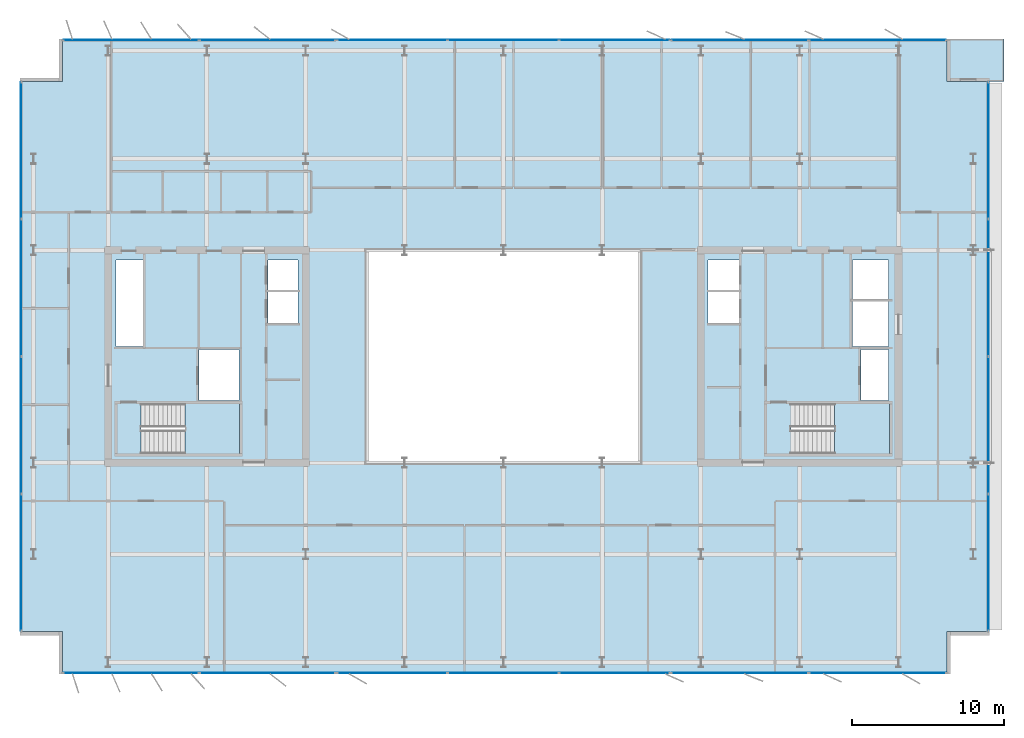
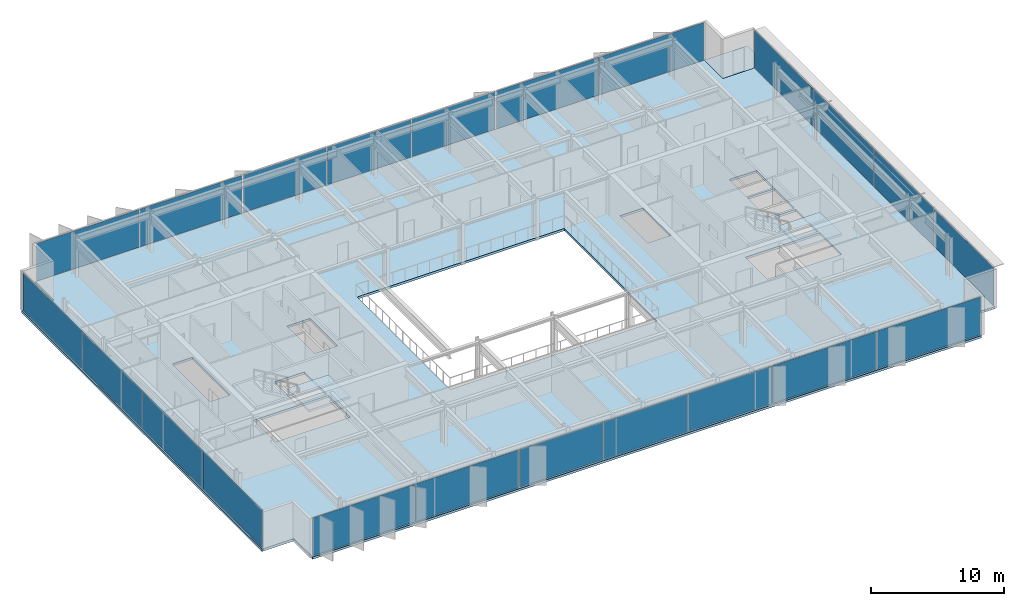
# One storey, part 10 of 19: 22 plates, 4 slabs, 10 elements without a shape of their own.
"""IFC4 building model written with IfcOpenShell, lengths in metres."""

import ifcopenshell
import ifcopenshell.guid

model = None  # the IFC model being written
_history = None  # IfcOwnerHistory: only IFC2X3 demands one
_inside = {}  # id of a spatial element -> (the spatial element, [elements in it])
_under = {}  # id of a project, library or spatial element -> (it, [spatial elements below it])
_declared = {}  # id of a project -> (the project, [libraries it declares])
_typed = {}  # id of a type object -> (the type object, [elements of that type])
_made_of = {}  # id of a material, layer set ... -> (it, [elements and type objects made of it])


def new_model(schema):
    """Start an empty IFC model of exactly this schema.

    Asked for "IFC4X3", IfcOpenShell would pick the latest addendum, in which some entities
    have other attributes; the version numbers below select the first issue.
    IFC2X3 requires an IfcOwnerHistory on every rooted entity: one is made here for all.
    """
    global model, _history
    if schema == "IFC4X3":
        model = ifcopenshell.file(schema_version=(4, 3, 0, 0))
    else:
        model = ifcopenshell.file(schema=schema)
    _inside.clear()
    _under.clear()
    _declared.clear()
    _typed.clear()
    _made_of.clear()
    _history = None
    if model.schema == "IFC2X3":
        org = make("IfcOrganization", Name="unknown")
        user = make(
            "IfcPersonAndOrganization",
            ThePerson=make("IfcPerson", FamilyName="unknown"),
            TheOrganization=org,
        )
        app = make(
            "IfcApplication",
            ApplicationDeveloper=org,
            Version="unknown",
            ApplicationFullName="unknown",
            ApplicationIdentifier="unknown",
        )
        _history = make(
            "IfcOwnerHistory",
            OwningUser=user,
            OwningApplication=app,
            ChangeAction="ADDED",
            CreationDate=0,
        )
    return model


def make(cls, **values):
    """One entity of the class cls with the attributes given. An attribute that is None is left unset."""
    return model.create_entity(
        cls, **{name: value for name, value in values.items() if value is not None}
    )


def rooted(cls, **values):
    """An entity with a GlobalId (a new one), such as an element, a storey or a relation."""
    return make(cls, GlobalId=ifcopenshell.guid.new(), OwnerHistory=_history, **values)


def si_unit(unit_type, name, prefix=None):
    """IfcSIUnit, for example si_unit("LENGTHUNIT", "METRE", prefix="MILLI")."""
    return make("IfcSIUnit", UnitType=unit_type, Prefix=prefix, Name=name)


def assignment(units):
    """IfcUnitAssignment: the units of a project."""
    return None if units is None else make("IfcUnitAssignment", Units=units)


def point(xyz):
    """IfcCartesianPoint."""
    return None if xyz is None else make("IfcCartesianPoint", Coordinates=xyz)


def direction(xyz):
    """IfcDirection."""
    return None if xyz is None else make("IfcDirection", DirectionRatios=xyz)


def frame(location, z_axis=None, x_axis=None):
    """IfcAxis2Placement3D, a coordinate frame: its origin and axes. An axis left out is left unset."""
    return make(
        "IfcAxis2Placement3D",
        Location=point(location),
        Axis=direction(z_axis),
        RefDirection=direction(x_axis),
    )


def frame_2d(location, x_axis=None):
    """IfcAxis2Placement2D, a coordinate frame in the plane: its origin and x axis."""
    return make(
        "IfcAxis2Placement2D", Location=point(location), RefDirection=direction(x_axis)
    )


def origin():
    """The frame at (0, 0, 0) with its axes left unset."""
    return frame((0.0, 0.0, 0.0))


def origin_2d():
    """The frame at (0, 0) in the plane with its x axis left unset."""
    return frame_2d((0.0, 0.0))


def place(relative_to, where):
    """IfcLocalPlacement: puts the frame where relative to a parent placement (None: the world)."""
    return make(
        "IfcLocalPlacement", PlacementRelTo=relative_to, RelativePlacement=where
    )


def context(
    kind, dimensions, precision=None, world=None, true_north=None, identifier=None
):
    """IfcGeometricRepresentationContext, for example the 3D "Model" context."""
    return make(
        "IfcGeometricRepresentationContext",
        ContextIdentifier=identifier,
        ContextType=kind,
        CoordinateSpaceDimension=dimensions,
        Precision=precision,
        WorldCoordinateSystem=world,
        TrueNorth=true_north,
    )


def subcontext(parent, identifier, kind, view, scale=None):
    """IfcGeometricRepresentationSubContext, for example "Body" below "Model"."""
    return make(
        "IfcGeometricRepresentationSubContext",
        ContextIdentifier=identifier,
        ContextType=kind,
        ParentContext=parent,
        TargetScale=scale,
        TargetView=view,
    )


def project(units=None, contexts=None):
    """IfcProject with its units and contexts."""
    return rooted(
        "IfcProject",
        Name="project",
        RepresentationContexts=contexts,
        UnitsInContext=assignment(units),
    )


def spatial(cls, under=None, at=None, **own):
    """A site, building, storey or space (cls), placed at a placement, below another one or the project."""
    s = rooted(cls, ObjectPlacement=at, **own)
    if under is not None:
        _under.setdefault(under.id(), (under, []))[1].append(s)
    return s


def polyline(points):
    """IfcPolyline through the points."""
    return make("IfcPolyline", Points=[point(p) for p in points])


def profile(cls, at=None, kind="AREA", **sizes):
    """A parametric profile (cls). Its sizes go by their IFC names, for example OverallWidth=200.0."""
    return make(cls, ProfileType=kind, Position=at, **sizes)


def rectangle(**sizes):
    """IfcRectangleProfileDef."""
    return profile("IfcRectangleProfileDef", **sizes)


def outline(outer, holes=None, kind="AREA"):
    """IfcArbitraryClosedProfileDef: a profile drawn as a closed curve; with holes, ...WithVoids."""
    if holes is None:
        return make("IfcArbitraryClosedProfileDef", ProfileType=kind, OuterCurve=outer)
    return make(
        "IfcArbitraryProfileDefWithVoids",
        ProfileType=kind,
        OuterCurve=outer,
        InnerCurves=holes,
    )


def extrude(swept, where, along, depth):
    """IfcExtrudedAreaSolid: the profile swept, set in the frame where, extruded along a direction by depth."""
    return make(
        "IfcExtrudedAreaSolid",
        SweptArea=swept,
        Position=where,
        ExtrudedDirection=direction(along),
        Depth=depth,
    )


def shape(context_of_items, identifier, shape_type, items):
    """IfcShapeRepresentation: the items that make up one representation, for example the "Body"."""
    return make(
        "IfcShapeRepresentation",
        ContextOfItems=context_of_items,
        RepresentationIdentifier=identifier,
        RepresentationType=shape_type,
        Items=items,
    )


def material(Name=None, Category=None):
    """IfcMaterial."""
    return make("IfcMaterial", Name=Name, Category=Category)


def layer(
    of_material, thickness, ventilated=None, Name=None, Category=None, Priority=None
):
    """IfcMaterialLayer: one layer of a wall or slab, of a material (None: an air gap)."""
    return make(
        "IfcMaterialLayer",
        Material=of_material,
        LayerThickness=thickness,
        IsVentilated=ventilated,
        Name=Name,
        Category=Category,
        Priority=Priority,
    )


def layer_set(layers, Name=None):
    """IfcMaterialLayerSet."""
    return make("IfcMaterialLayerSet", MaterialLayers=layers, LayerSetName=Name)


def made_of(thing, what):
    """Note that an element or type object is made of a material, layer set ...; save() writes the relation."""
    if what is not None:
        _made_of.setdefault(what.id(), (what, []))[1].append(thing)
    return thing


def type_object(cls, material=None, **own):
    """A type object (cls), such as IfcWallType, which elements share."""
    return made_of(rooted(cls, **own), material)


def element(
    cls,
    number,
    at=None,
    inside=None,
    cuts=None,
    type_object=None,
    material=None,
    context=None,
    identifier="Body",
    shape_type=None,
    held_by="IfcProductDefinitionShape",
    body=None,
    shapes=None,
    **own,
):
    """One element of the class cls, such as IfcWall. Its Tag is "e" and its number.

    at: its placement. inside: the storey or other place that contains it. cuts: it is an
    opening in that element (IfcRelVoidsElement). A single representation is given by context,
    identifier, shape_type and body (its items); several are given by shapes. held_by: the class
    of the entity that holds the representations. save() writes the other relations.
    """
    e = rooted(cls, Tag="e%d" % number, ObjectPlacement=at, **own)
    if body is not None:
        shapes = [shape(context, identifier, shape_type, body)]
    if shapes is not None:
        e.Representation = make(held_by, Representations=shapes)
    if inside is not None:
        _inside.setdefault(inside.id(), (inside, []))[1].append(e)
    if cuts is not None:
        rooted(
            "IfcRelVoidsElement", RelatingBuildingElement=cuts, RelatedOpeningElement=e
        )
    if type_object is not None:
        _typed.setdefault(type_object.id(), (type_object, []))[1].append(e)
    return made_of(e, material)


def aggregate(whole, parts):
    """IfcRelAggregates: a whole, such as a stair, and the parts it consists of."""
    return rooted("IfcRelAggregates", RelatingObject=whole, RelatedObjects=parts)


def save(model, path):
    """Write the relations noted so far, then the file.

    IfcRelAggregates (storeys below a building ...), IfcRelContainedInSpatialStructure (elements
    in a storey), IfcRelDefinesByType, IfcRelAssociatesMaterial and IfcRelDeclares: one each for
    every whole, place, type object, material and project.
    """
    for whole, parts in _under.values():
        aggregate(whole, parts)
    for where, things in _inside.values():
        rooted(
            "IfcRelContainedInSpatialStructure",
            RelatedElements=things,
            RelatingStructure=where,
        )
    for kind, things in _typed.values():
        rooted("IfcRelDefinesByType", RelatedObjects=things, RelatingType=kind)
    for what, things in _made_of.values():
        rooted("IfcRelAssociatesMaterial", RelatedObjects=things, RelatingMaterial=what)
    for by, libraries in _declared.values():
        rooted("IfcRelDeclares", RelatingContext=by, RelatedDefinitions=libraries)
    model.write(path)


model = new_model("IFC4")

# Units and contexts
model_context = context("Model", 3, precision=1e-05, world=origin(), true_north=direction((0.0, 1.0)))
body_context = subcontext(model_context, "Body", "Model", "MODEL_VIEW")
ifc_project = project(units=[si_unit("LENGTHUNIT", "METRE"), si_unit("AREAUNIT", "SQUARE_METRE"), si_unit("VOLUMEUNIT", "CUBIC_METRE"), si_unit("PLANEANGLEUNIT", "RADIAN"), si_unit("MASSUNIT", "GRAM", prefix="KILO")], contexts=[model_context])

# Site, building, storey
site_placement = place(None, origin())
site = spatial("IfcSite", under=ifc_project, at=site_placement, CompositionType="ELEMENT")
building_placement = place(site_placement, origin())
building = spatial("IfcBuilding", under=site, at=building_placement, Name="Putna Gate Headquarters", CompositionType="ELEMENT")
storey_placement = place(building_placement, frame((0.0, 0.0, 263.199951171875)))
storey = spatial("IfcBuildingStorey", under=building, at=storey_placement, Name="L66", CompositionType="ELEMENT", Elevation=263.199951171875)

# Stair, slab
ifc_material_1 = material(Name="Concrete C40/50", Category="concrete")
stair_type_1 = type_object("IfcStairType", Name="STAIR-ST1", PredefinedType="HALF_TURN_STAIR", material=ifc_material_1)
stair_1_placement = place(storey_placement, origin())
stair_1 = element("IfcStair", 1, at=stair_1_placement, inside=storey, type_object=stair_type_1, Name="L66 West Core Exit Stair ST1", PredefinedType="HALF_TURN_STAIR")
ifc_layer_1 = layer(ifc_material_1, 0.199951171875)
ifc_layer_set_1 = layer_set([ifc_layer_1], Name="Concrete C40/50")
slab_type_1 = type_object("IfcSlabType", Name="LANDING-ST1", PredefinedType="LANDING", material=ifc_layer_set_1)
slab_1_placement = place(storey_placement, frame((0.0, 0.0, 1.699951171875)))
slab_1 = element("IfcSlab", 2, at=slab_1_placement, type_object=slab_type_1, Name="ST1 landing 1", PredefinedType="LANDING", context=body_context, shape_type="SweptSolid", body=[
    extrude(outline(polyline([(18.050048828125, 19.60009765625), (21.64990234375, 19.60009765625), (21.64990234375, 22.89990234375), (18.050048828125, 22.89990234375), (18.050048828125, 19.60009765625)])), origin(), (0.0, 0.0, 1.0), 0.2001953125),
])
aggregate(stair_1, [slab_1])

stair_type_2 = type_object("IfcStairType", Name="STAIR-ST2", PredefinedType="HALF_TURN_STAIR", material=ifc_material_1)
stair_2_placement = place(storey_placement, origin())
stair_2 = element("IfcStair", 3, at=stair_2_placement, inside=storey, type_object=stair_type_2, Name="L66 East Core Exit Stair ST2", PredefinedType="HALF_TURN_STAIR")
ifc_layer_2 = layer(ifc_material_1, 0.199951171875)
ifc_layer_set_2 = layer_set([ifc_layer_2], Name="Concrete C40/50")
slab_type_2 = type_object("IfcSlabType", Name="LANDING-ST2", PredefinedType="LANDING", material=ifc_layer_set_2)
slab_2_placement = place(storey_placement, frame((0.0, 0.0, 1.699951171875)))
slab_2 = element("IfcSlab", 4, at=slab_2_placement, type_object=slab_type_2, Name="ST2 landing 1", PredefinedType="LANDING", context=body_context, shape_type="SweptSolid", body=[
    extrude(outline(polyline([(60.800048828125, 19.60009765625), (64.39990234375, 19.60009765625), (64.39990234375, 22.89990234375), (60.800048828125, 22.89990234375), (60.800048828125, 19.60009765625)])), origin(), (0.0, 0.0, 1.0), 0.2001953125),
])
aggregate(stair_2, [slab_2])

# Curtain wall, plates
ifc_material_2 = material(Name="Anodised bronze aluminium curtain wall", Category="aluminium")
ifc_layer_3 = layer(ifc_material_2, 0.179931640625)
ifc_layer_set_3 = layer_set([ifc_layer_3], Name="Anodised bronze aluminium curtain wall")
curtain_wall_type_1 = type_object("IfcCurtainWallType", Name="CW-SYS-Z5", PredefinedType="USERDEFINED", material=ifc_layer_set_3)
curtain_wall_1_placement = place(storey_placement, origin())
curtain_wall_1 = element("IfcCurtainWall", 5, at=curtain_wall_1_placement, inside=storey, type_object=curtain_wall_type_1, Name="L66 South West Curtain Wall", ObjectType="STICK CURTAIN WALL", PredefinedType="USERDEFINED")
ifc_material_3 = material(Name="Solar-control triple low-E glass", Category="glass")
ifc_layer_4 = layer(ifc_material_3, 0.033935546875)
ifc_layer_set_4 = layer_set([ifc_layer_4], Name="Solar-control triple low-E glass")
plate_type_1 = type_object("IfcPlateType", Name="PAN-CWP-5", PredefinedType="CURTAIN_PANEL", material=ifc_layer_set_4)
plate_1_placement = place(storey_placement, frame((14.517578125, 5.179931640625, 0.06005859375), z_axis=(0.0, 0.0, 1.0), x_axis=(1.0, 0.0, 0.0)))
plate_1 = element("IfcPlate", 6, at=plate_1_placement, type_object=plate_type_1, Name="CWS-5 panel 1.1", PredefinedType="CURTAIN_PANEL", context=body_context, shape_type="SweptSolid", body=[
    extrude(rectangle(XDim=8.89501953125, YDim=0.033935546875, at=origin_2d()), origin(), (0.0, 0.0, 1.0), 3.468017578125),
])
plate_2_placement = place(storey_placement, frame((23.482421875, 5.179931640625, 0.06005859375), z_axis=(0.0, 0.0, 1.0), x_axis=(1.0, 0.0, 0.0)))
plate_2 = element("IfcPlate", 7, at=plate_2_placement, type_object=plate_type_1, Name="CWS-5 panel 2.1", PredefinedType="CURTAIN_PANEL", context=body_context, shape_type="SweptSolid", body=[
    extrude(rectangle(XDim=8.89501953125, YDim=0.033935546875, at=origin_2d()), origin(), (0.0, 0.0, 1.0), 3.468017578125),
])
aggregate(curtain_wall_1, [plate_1, plate_2])

curtain_wall_2_placement = place(storey_placement, origin())
curtain_wall_2 = element("IfcCurtainWall", 8, at=curtain_wall_2_placement, inside=storey, type_object=curtain_wall_type_1, Name="L66 South East Curtain Wall", ObjectType="STICK CURTAIN WALL", PredefinedType="USERDEFINED")
plate_3_placement = place(storey_placement, frame((54.564697265625, 5.179931640625, 0.06005859375), z_axis=(0.0, 0.0, 1.0), x_axis=(1.0, 0.0, 0.0)))
plate_3 = element("IfcPlate", 9, at=plate_3_placement, type_object=plate_type_1, Name="CWS-5 panel 1.1", PredefinedType="CURTAIN_PANEL", context=body_context, shape_type="SweptSolid", body=[
    extrude(rectangle(XDim=8.989501953125, YDim=0.033935546875, at=origin_2d()), origin(), (0.0, 0.0, 1.0), 3.468017578125),
])
plate_4_placement = place(storey_placement, frame((63.624267578125, 5.179931640625, 0.06005859375), z_axis=(0.0, 0.0, 1.0), x_axis=(1.0, 0.0, 0.0)))
plate_4 = element("IfcPlate", 10, at=plate_4_placement, type_object=plate_type_1, Name="CWS-5 panel 2.1", PredefinedType="CURTAIN_PANEL", context=body_context, shape_type="SweptSolid", body=[
    extrude(rectangle(XDim=8.989501953125, YDim=0.033935546875, at=origin_2d()), origin(), (0.0, 0.0, 1.0), 3.468017578125),
])
aggregate(curtain_wall_2, [plate_3, plate_4])

curtain_wall_3_placement = place(storey_placement, origin())
curtain_wall_3 = element("IfcCurtainWall", 11, at=curtain_wall_3_placement, inside=storey, type_object=curtain_wall_type_1, Name="L66 North West Curtain Wall", ObjectType="STICK CURTAIN WALL", PredefinedType="USERDEFINED")
plate_5_placement = place(storey_placement, frame((14.517578125, 46.820068359375, 0.06005859375), z_axis=(0.0, 0.0, 1.0), x_axis=(1.0, 0.0, 0.0)))
plate_5 = element("IfcPlate", 12, at=plate_5_placement, type_object=plate_type_1, Name="CWS-5 panel 1.1", PredefinedType="CURTAIN_PANEL", context=body_context, shape_type="SweptSolid", body=[
    extrude(rectangle(XDim=8.89501953125, YDim=0.033935546875, at=origin_2d()), origin(), (0.0, 0.0, 1.0), 3.468017578125),
])
plate_6_placement = place(storey_placement, frame((23.482421875, 46.820068359375, 0.06005859375), z_axis=(0.0, 0.0, 1.0), x_axis=(1.0, 0.0, 0.0)))
plate_6 = element("IfcPlate", 13, at=plate_6_placement, type_object=plate_type_1, Name="CWS-5 panel 2.1", PredefinedType="CURTAIN_PANEL", context=body_context, shape_type="SweptSolid", body=[
    extrude(rectangle(XDim=8.89501953125, YDim=0.033935546875, at=origin_2d()), origin(), (0.0, 0.0, 1.0), 3.468017578125),
])
aggregate(curtain_wall_3, [plate_5, plate_6])

curtain_wall_4_placement = place(storey_placement, origin())
curtain_wall_4 = element("IfcCurtainWall", 14, at=curtain_wall_4_placement, inside=storey, type_object=curtain_wall_type_1, Name="L66 North East Curtain Wall", ObjectType="STICK CURTAIN WALL", PredefinedType="USERDEFINED")
plate_7_placement = place(storey_placement, frame((54.564697265625, 46.820068359375, 0.06005859375), z_axis=(0.0, 0.0, 1.0), x_axis=(1.0, 0.0, 0.0)))
plate_7 = element("IfcPlate", 15, at=plate_7_placement, type_object=plate_type_1, Name="CWS-5 panel 1.1", PredefinedType="CURTAIN_PANEL", context=body_context, shape_type="SweptSolid", body=[
    extrude(rectangle(XDim=8.989501953125, YDim=0.033935546875, at=origin_2d()), origin(), (0.0, 0.0, 1.0), 3.468017578125),
])
plate_8_placement = place(storey_placement, frame((63.624267578125, 46.820068359375, 0.06005859375), z_axis=(0.0, 0.0, 1.0), x_axis=(1.0, 0.0, 0.0)))
plate_8 = element("IfcPlate", 16, at=plate_8_placement, type_object=plate_type_1, Name="CWS-5 panel 2.1", PredefinedType="CURTAIN_PANEL", context=body_context, shape_type="SweptSolid", body=[
    extrude(rectangle(XDim=8.989501953125, YDim=0.033935546875, at=origin_2d()), origin(), (0.0, 0.0, 1.0), 3.468017578125),
])
aggregate(curtain_wall_4, [plate_7, plate_8])

curtain_wall_5_placement = place(storey_placement, origin())
curtain_wall_5 = element("IfcCurtainWall", 17, at=curtain_wall_5_placement, inside=storey, type_object=curtain_wall_type_1, Name="L66 West Curtain Wall", ObjectType="STICK CURTAIN WALL", PredefinedType="USERDEFINED")
plate_9_placement = place(storey_placement, frame((7.280029296875, 12.4423828125, 0.06005859375), z_axis=(0.0, 0.0, 1.0), x_axis=(0.0, 1.0, 0.0)))
plate_9 = element("IfcPlate", 18, at=plate_9_placement, type_object=plate_type_1, Name="CWS-5 panel 1.1", PredefinedType="CURTAIN_PANEL", context=body_context, shape_type="SweptSolid", body=[
    extrude(rectangle(XDim=8.945068359375, YDim=0.033935546875, at=origin_2d()), origin(), (0.0, 0.0, 1.0), 3.468017578125),
])
plate_10_placement = place(storey_placement, frame((7.280029296875, 21.47509765625, 0.06005859375), z_axis=(0.0, 0.0, 1.0), x_axis=(0.0, 1.0, 0.0)))
plate_10 = element("IfcPlate", 19, at=plate_10_placement, type_object=plate_type_1, Name="CWS-5 panel 2.1", PredefinedType="CURTAIN_PANEL", context=body_context, shape_type="SweptSolid", body=[
    extrude(rectangle(XDim=8.97998046875, YDim=0.033935546875, at=origin_2d()), origin(), (0.0, 0.0, 1.0), 3.468017578125),
])
plate_11_placement = place(storey_placement, frame((7.280029296875, 30.52490234375, 0.06005859375), z_axis=(0.0, 0.0, 1.0), x_axis=(0.0, 1.0, 0.0)))
plate_11 = element("IfcPlate", 20, at=plate_11_placement, type_object=plate_type_1, Name="CWS-5 panel 3.1", PredefinedType="CURTAIN_PANEL", context=body_context, shape_type="SweptSolid", body=[
    extrude(rectangle(XDim=8.97998046875, YDim=0.033935546875, at=origin_2d()), origin(), (0.0, 0.0, 1.0), 3.468017578125),
])
plate_12_placement = place(storey_placement, frame((7.280029296875, 39.5576171875, 0.06005859375), z_axis=(0.0, 0.0, 1.0), x_axis=(0.0, 1.0, 0.0)))
plate_12 = element("IfcPlate", 21, at=plate_12_placement, type_object=plate_type_1, Name="CWS-5 panel 4.1", PredefinedType="CURTAIN_PANEL", context=body_context, shape_type="SweptSolid", body=[
    extrude(rectangle(XDim=8.945068359375, YDim=0.033935546875, at=origin_2d()), origin(), (0.0, 0.0, 1.0), 3.468017578125),
])
aggregate(curtain_wall_5, [plate_9, plate_10, plate_11, plate_12])

curtain_wall_6_placement = place(storey_placement, origin())
curtain_wall_6 = element("IfcCurtainWall", 22, at=curtain_wall_6_placement, inside=storey, type_object=curtain_wall_type_1, Name="L66 East Curtain Wall", ObjectType="STICK CURTAIN WALL", PredefinedType="USERDEFINED")
plate_13_placement = place(storey_placement, frame((70.908935546875, 12.4423828125, 0.06005859375), z_axis=(0.0, 0.0, 1.0), x_axis=(0.0, 1.0, 0.0)))
plate_13 = element("IfcPlate", 23, at=plate_13_placement, type_object=plate_type_1, Name="CWS-5 panel 1.1", PredefinedType="CURTAIN_PANEL", context=body_context, shape_type="SweptSolid", body=[
    extrude(rectangle(XDim=8.945068359375, YDim=0.033935546875, at=origin_2d()), origin(), (0.0, 0.0, 1.0), 3.468017578125),
])
plate_14_placement = place(storey_placement, frame((70.908935546875, 21.47509765625, 0.06005859375), z_axis=(0.0, 0.0, 1.0), x_axis=(0.0, 1.0, 0.0)))
plate_14 = element("IfcPlate", 24, at=plate_14_placement, type_object=plate_type_1, Name="CWS-5 panel 2.1", PredefinedType="CURTAIN_PANEL", context=body_context, shape_type="SweptSolid", body=[
    extrude(rectangle(XDim=8.97998046875, YDim=0.033935546875, at=origin_2d()), origin(), (0.0, 0.0, 1.0), 3.468017578125),
])
plate_15_placement = place(storey_placement, frame((70.908935546875, 30.52490234375, 0.06005859375), z_axis=(0.0, 0.0, 1.0), x_axis=(0.0, 1.0, 0.0)))
plate_15 = element("IfcPlate", 25, at=plate_15_placement, type_object=plate_type_1, Name="CWS-5 panel 3.1", PredefinedType="CURTAIN_PANEL", context=body_context, shape_type="SweptSolid", body=[
    extrude(rectangle(XDim=8.97998046875, YDim=0.033935546875, at=origin_2d()), origin(), (0.0, 0.0, 1.0), 3.468017578125),
])
plate_16_placement = place(storey_placement, frame((70.908935546875, 39.5576171875, 0.06005859375), z_axis=(0.0, 0.0, 1.0), x_axis=(0.0, 1.0, 0.0)))
plate_16 = element("IfcPlate", 26, at=plate_16_placement, type_object=plate_type_1, Name="CWS-5 panel 4.1", PredefinedType="CURTAIN_PANEL", context=body_context, shape_type="SweptSolid", body=[
    extrude(rectangle(XDim=8.945068359375, YDim=0.033935546875, at=origin_2d()), origin(), (0.0, 0.0, 1.0), 3.468017578125),
])
aggregate(curtain_wall_6, [plate_13, plate_14, plate_15, plate_16])

ifc_layer_5 = layer(ifc_material_2, 0.179931640625)
ifc_layer_set_5 = layer_set([ifc_layer_5], Name="Anodised bronze aluminium curtain wall")
curtain_wall_type_2 = type_object("IfcCurtainWallType", Name="CW-SYS-ATR", PredefinedType="USERDEFINED", material=ifc_layer_set_5)
curtain_wall_7_placement = place(storey_placement, origin())
curtain_wall_7 = element("IfcCurtainWall", 27, at=curtain_wall_7_placement, inside=storey, type_object=curtain_wall_type_2, Name="L66 South Atrium Clear Glazing", ObjectType="ATRIUM GLAZING", PredefinedType="USERDEFINED")
ifc_material_4 = material(Name="Clear low-iron triple glazing", Category="glass")
ifc_layer_6 = layer(ifc_material_4, 0.0400390625)
ifc_layer_set_6 = layer_set([ifc_layer_6], Name="Clear low-iron triple glazing")
plate_type_2 = type_object("IfcPlateType", Name="PAN-CWP-AT", PredefinedType="CURTAIN_PANEL", material=ifc_layer_set_6)
plate_17_placement = place(storey_placement, frame((31.68408203125, 5.179931640625, 0.06982421875), z_axis=(0.0, 0.0, 1.0), x_axis=(1.0, 0.0, 0.0)))
plate_17 = element("IfcPlate", 28, at=plate_17_placement, type_object=plate_type_2, Name="CWS-AT panel 1.1", PredefinedType="CURTAIN_PANEL", context=body_context, shape_type="SweptSolid", body=[
    extrude(rectangle(XDim=7.228271484375, YDim=0.0400390625, at=origin_2d()), origin(), (0.0, 0.0, 1.0), 3.447998046875),
])
plate_18_placement = place(storey_placement, frame((39.0, 5.179931640625, 0.06982421875), z_axis=(0.0, 0.0, 1.0), x_axis=(1.0, 0.0, 0.0)))
plate_18 = element("IfcPlate", 29, at=plate_18_placement, type_object=plate_type_2, Name="CWS-AT panel 2.1", PredefinedType="CURTAIN_PANEL", context=body_context, shape_type="SweptSolid", body=[
    extrude(rectangle(XDim=7.263427734375, YDim=0.0400390625, at=origin_2d()), origin(), (0.0, 0.0, 1.0), 3.447998046875),
])
plate_19_placement = place(storey_placement, frame((46.31591796875, 5.179931640625, 0.06982421875), z_axis=(0.0, 0.0, 1.0), x_axis=(1.0, 0.0, 0.0)))
plate_19 = element("IfcPlate", 30, at=plate_19_placement, type_object=plate_type_2, Name="CWS-AT panel 3.1", PredefinedType="CURTAIN_PANEL", context=body_context, shape_type="SweptSolid", body=[
    extrude(rectangle(XDim=7.228271484375, YDim=0.0400390625, at=origin_2d()), origin(), (0.0, 0.0, 1.0), 3.447998046875),
])
aggregate(curtain_wall_7, [plate_17, plate_18, plate_19])

curtain_wall_8_placement = place(storey_placement, origin())
curtain_wall_8 = element("IfcCurtainWall", 31, at=curtain_wall_8_placement, inside=storey, type_object=curtain_wall_type_2, Name="L66 North Atrium Clear Glazing", ObjectType="ATRIUM GLAZING", PredefinedType="USERDEFINED")
plate_20_placement = place(storey_placement, frame((31.68408203125, 46.820068359375, 0.06982421875), z_axis=(0.0, 0.0, 1.0), x_axis=(1.0, 0.0, 0.0)))
plate_20 = element("IfcPlate", 32, at=plate_20_placement, type_object=plate_type_2, Name="CWS-AT panel 1.1", PredefinedType="CURTAIN_PANEL", context=body_context, shape_type="SweptSolid", body=[
    extrude(rectangle(XDim=7.228271484375, YDim=0.0400390625, at=origin_2d()), origin(), (0.0, 0.0, 1.0), 3.447998046875),
])
plate_21_placement = place(storey_placement, frame((39.0, 46.820068359375, 0.06982421875), z_axis=(0.0, 0.0, 1.0), x_axis=(1.0, 0.0, 0.0)))
plate_21 = element("IfcPlate", 33, at=plate_21_placement, type_object=plate_type_2, Name="CWS-AT panel 2.1", PredefinedType="CURTAIN_PANEL", context=body_context, shape_type="SweptSolid", body=[
    extrude(rectangle(XDim=7.263427734375, YDim=0.0400390625, at=origin_2d()), origin(), (0.0, 0.0, 1.0), 3.447998046875),
])
plate_22_placement = place(storey_placement, frame((46.31591796875, 46.820068359375, 0.06982421875), z_axis=(0.0, 0.0, 1.0), x_axis=(1.0, 0.0, 0.0)))
plate_22 = element("IfcPlate", 34, at=plate_22_placement, type_object=plate_type_2, Name="CWS-AT panel 3.1", PredefinedType="CURTAIN_PANEL", context=body_context, shape_type="SweptSolid", body=[
    extrude(rectangle(XDim=7.228271484375, YDim=0.0400390625, at=origin_2d()), origin(), (0.0, 0.0, 1.0), 3.447998046875),
])
aggregate(curtain_wall_8, [plate_20, plate_21, plate_22])

# Slabs
ifc_layer_7 = layer(ifc_material_1, 0.179931640625)
ifc_layer_set_7 = layer_set([ifc_layer_7], Name="Concrete C40/50")
slab_type_3 = type_object("IfcSlabType", Name="SLAB-TERRACE-180", PredefinedType="FLOOR", material=ifc_layer_set_7)
slab_3_placement = place(storey_placement, frame((0.0, 0.0, -0.179931640625)))
element("IfcSlab", 35, at=slab_3_placement, inside=storey, type_object=slab_type_3, Name="L66 Spiral Sky-Garden Terrace Slab (NE)", PredefinedType="FLOOR", context=body_context, shape_type="SweptSolid", body=[
    extrude(outline(polyline([(68.180908203125, 44.092041015625), (71.93896484375, 44.092041015625), (71.93896484375, 46.89990234375), (68.180908203125, 46.89990234375), (68.180908203125, 44.092041015625)])), origin(), (0.0, 0.0, 1.0), 0.179931640625),
])
ifc_layer_8 = layer(ifc_material_1, 0.2119140625)
ifc_layer_set_8 = layer_set([ifc_layer_8], Name="Concrete C40/50")
slab_type_4 = type_object("IfcSlabType", Name="SLAB-Z5-212", PredefinedType="FLOOR", material=ifc_layer_set_8)
slab_4_placement = place(storey_placement, frame((0.0, 0.0, -0.2119140625)))
element("IfcSlab", 36, at=slab_4_placement, inside=storey, type_object=slab_type_4, Name="L66 Composite Floor Slab", PredefinedType="FLOOR", context=body_context, shape_type="SweptSolid", body=[
    extrude(outline(polyline([(10.0, 5.10009765625), (68.18896484375, 5.10009765625), (68.18896484375, 7.89990234375), (70.989013671875, 7.89990234375), (70.989013671875, 44.10009765625), (68.18896484375, 44.10009765625), (68.18896484375, 46.89990234375), (10.0, 46.89990234375), (10.0, 44.10009765625), (7.199951171875, 44.10009765625), (7.199951171875, 7.89990234375), (10.0, 7.89990234375), (10.0, 5.10009765625)]), holes=[polyline([(15.1650390625, 19.60009765625), (21.64990234375, 19.60009765625), (21.64990234375, 22.89990234375), (15.1650390625, 22.89990234375), (15.1650390625, 19.60009765625)]), polyline([(57.9150390625, 19.60009765625), (64.39990234375, 19.60009765625), (64.39990234375, 22.89990234375), (57.9150390625, 22.89990234375), (57.9150390625, 19.60009765625)]), polyline([(13.52001953125, 26.659912109375), (15.280029296875, 26.659912109375), (15.280029296875, 32.35009765625), (13.52001953125, 32.35009765625), (13.52001953125, 26.659912109375)]), polyline([(61.969970703125, 29.780029296875), (64.35009765625, 29.780029296875), (64.35009765625, 32.35009765625), (61.969970703125, 32.35009765625), (61.969970703125, 29.780029296875)]), polyline([(18.97998046875, 23.1201171875), (21.6201171875, 23.1201171875), (21.6201171875, 26.4599609375), (18.97998046875, 26.4599609375), (18.97998046875, 23.1201171875)]), polyline([(62.52001953125, 23.1201171875), (64.35009765625, 23.1201171875), (64.35009765625, 26.4599609375), (62.52001953125, 26.4599609375), (62.52001953125, 23.1201171875)]), polyline([(61.969970703125, 26.659912109375), (64.35009765625, 26.659912109375), (64.35009765625, 29.6201171875), (61.969970703125, 29.6201171875), (61.969970703125, 26.659912109375)]), polyline([(23.5, 28.199951171875), (25.5, 28.199951171875), (25.5, 32.35009765625), (23.5, 32.35009765625), (23.5, 28.199951171875)]), polyline([(52.47998046875, 28.199951171875), (54.5, 28.199951171875), (54.5, 32.35009765625), (52.47998046875, 32.35009765625), (52.47998046875, 28.199951171875)]), polyline([(30.0, 19.0), (48.0, 19.0), (48.0, 33.0), (30.0, 33.0), (30.0, 19.0)])]), origin(), (0.0, 0.0, 1.0), 0.2119140625),
])

save(model, "model.ifc")
